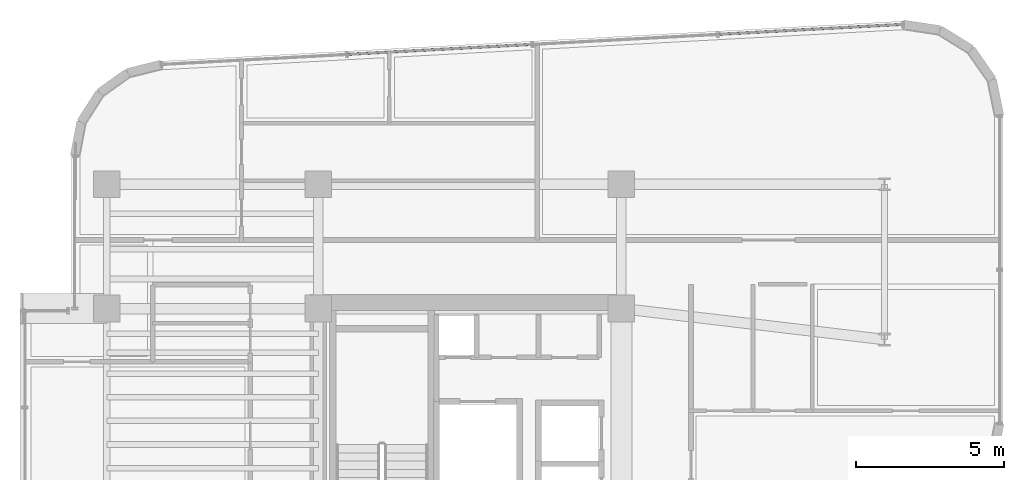
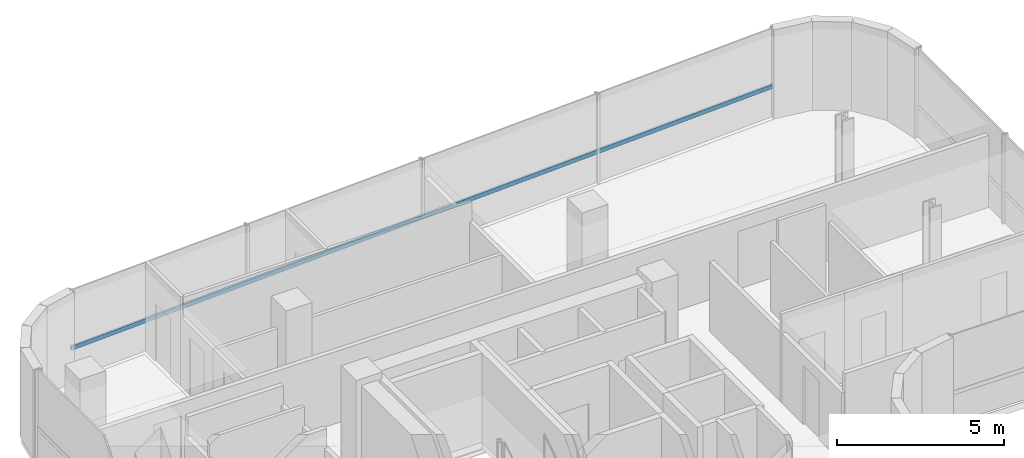
# One storey, part 13 of 22: 1 member, 1 element without a shape of its own.
"""IFC4 building model written with IfcOpenShell, lengths in metres."""

import ifcopenshell
import ifcopenshell.guid

model = None  # the IFC model being written
_history = None  # IfcOwnerHistory: only IFC2X3 demands one
_inside = {}  # id of a spatial element -> (the spatial element, [elements in it])
_under = {}  # id of a project, library or spatial element -> (it, [spatial elements below it])
_declared = {}  # id of a project -> (the project, [libraries it declares])
_typed = {}  # id of a type object -> (the type object, [elements of that type])
_made_of = {}  # id of a material, layer set ... -> (it, [elements and type objects made of it])


def new_model(schema):
    """Start an empty IFC model of exactly this schema.

    Asked for "IFC4X3", IfcOpenShell would pick the latest addendum, in which some entities
    have other attributes; the version numbers below select the first issue.
    IFC2X3 requires an IfcOwnerHistory on every rooted entity: one is made here for all.
    """
    global model, _history
    if schema == "IFC4X3":
        model = ifcopenshell.file(schema_version=(4, 3, 0, 0))
    else:
        model = ifcopenshell.file(schema=schema)
    _inside.clear()
    _under.clear()
    _declared.clear()
    _typed.clear()
    _made_of.clear()
    _history = None
    if model.schema == "IFC2X3":
        org = make("IfcOrganization", Name="unknown")
        user = make(
            "IfcPersonAndOrganization",
            ThePerson=make("IfcPerson", FamilyName="unknown"),
            TheOrganization=org,
        )
        app = make(
            "IfcApplication",
            ApplicationDeveloper=org,
            Version="unknown",
            ApplicationFullName="unknown",
            ApplicationIdentifier="unknown",
        )
        _history = make(
            "IfcOwnerHistory",
            OwningUser=user,
            OwningApplication=app,
            ChangeAction="ADDED",
            CreationDate=0,
        )
    return model


def make(cls, **values):
    """One entity of the class cls with the attributes given. An attribute that is None is left unset."""
    return model.create_entity(
        cls, **{name: value for name, value in values.items() if value is not None}
    )


def rooted(cls, **values):
    """An entity with a GlobalId (a new one), such as an element, a storey or a relation."""
    return make(cls, GlobalId=ifcopenshell.guid.new(), OwnerHistory=_history, **values)


def si_unit(unit_type, name, prefix=None):
    """IfcSIUnit, for example si_unit("LENGTHUNIT", "METRE", prefix="MILLI")."""
    return make("IfcSIUnit", UnitType=unit_type, Prefix=prefix, Name=name)


def assignment(units):
    """IfcUnitAssignment: the units of a project."""
    return None if units is None else make("IfcUnitAssignment", Units=units)


def point(xyz):
    """IfcCartesianPoint."""
    return None if xyz is None else make("IfcCartesianPoint", Coordinates=xyz)


def direction(xyz):
    """IfcDirection."""
    return None if xyz is None else make("IfcDirection", DirectionRatios=xyz)


def frame(location, z_axis=None, x_axis=None):
    """IfcAxis2Placement3D, a coordinate frame: its origin and axes. An axis left out is left unset."""
    return make(
        "IfcAxis2Placement3D",
        Location=point(location),
        Axis=direction(z_axis),
        RefDirection=direction(x_axis),
    )


def frame_2d(location, x_axis=None):
    """IfcAxis2Placement2D, a coordinate frame in the plane: its origin and x axis."""
    return make(
        "IfcAxis2Placement2D", Location=point(location), RefDirection=direction(x_axis)
    )


def origin():
    """The frame at (0, 0, 0) with its axes left unset."""
    return frame((0.0, 0.0, 0.0))


def origin_2d():
    """The frame at (0, 0) in the plane with its x axis left unset."""
    return frame_2d((0.0, 0.0))


def place(relative_to, where):
    """IfcLocalPlacement: puts the frame where relative to a parent placement (None: the world)."""
    return make(
        "IfcLocalPlacement", PlacementRelTo=relative_to, RelativePlacement=where
    )


def context(
    kind, dimensions, precision=None, world=None, true_north=None, identifier=None
):
    """IfcGeometricRepresentationContext, for example the 3D "Model" context."""
    return make(
        "IfcGeometricRepresentationContext",
        ContextIdentifier=identifier,
        ContextType=kind,
        CoordinateSpaceDimension=dimensions,
        Precision=precision,
        WorldCoordinateSystem=world,
        TrueNorth=true_north,
    )


def subcontext(parent, identifier, kind, view, scale=None):
    """IfcGeometricRepresentationSubContext, for example "Body" below "Model"."""
    return make(
        "IfcGeometricRepresentationSubContext",
        ContextIdentifier=identifier,
        ContextType=kind,
        ParentContext=parent,
        TargetScale=scale,
        TargetView=view,
    )


def project(units=None, contexts=None):
    """IfcProject with its units and contexts."""
    return rooted(
        "IfcProject",
        Name="project",
        RepresentationContexts=contexts,
        UnitsInContext=assignment(units),
    )


def spatial(cls, under=None, at=None, **own):
    """A site, building, storey or space (cls), placed at a placement, below another one or the project."""
    s = rooted(cls, ObjectPlacement=at, **own)
    if under is not None:
        _under.setdefault(under.id(), (under, []))[1].append(s)
    return s


def profile(cls, at=None, kind="AREA", **sizes):
    """A parametric profile (cls). Its sizes go by their IFC names, for example OverallWidth=200.0."""
    return make(cls, ProfileType=kind, Position=at, **sizes)


def hollow_rectangle(**sizes):
    """IfcRectangleHollowProfileDef."""
    return profile("IfcRectangleHollowProfileDef", **sizes)


def extrude(swept, where, along, depth):
    """IfcExtrudedAreaSolid: the profile swept, set in the frame where, extruded along a direction by depth."""
    return make(
        "IfcExtrudedAreaSolid",
        SweptArea=swept,
        Position=where,
        ExtrudedDirection=direction(along),
        Depth=depth,
    )


def shape(context_of_items, identifier, shape_type, items):
    """IfcShapeRepresentation: the items that make up one representation, for example the "Body"."""
    return make(
        "IfcShapeRepresentation",
        ContextOfItems=context_of_items,
        RepresentationIdentifier=identifier,
        RepresentationType=shape_type,
        Items=items,
    )


def source(mapping_origin, context_of_items, identifier, shape_type, items):
    """IfcRepresentationMap: a shape defined once, which mapped items show again and again."""
    return make(
        "IfcRepresentationMap",
        MappingOrigin=mapping_origin,
        MappedRepresentation=shape(context_of_items, identifier, shape_type, items),
    )


def transform(
    local_origin,
    x_axis=None,
    y_axis=None,
    z_axis=None,
    scale=None,
    scale2=None,
    scale3=None,
    uniform=True,
):
    """IfcCartesianTransformationOperator3D, or its non-uniform kind. x_axis, y_axis, z_axis: its Axis1, 2, 3."""
    if uniform:
        return make(
            "IfcCartesianTransformationOperator3D",
            Axis1=direction(x_axis),
            Axis2=direction(y_axis),
            LocalOrigin=point(local_origin),
            Scale=scale,
            Axis3=direction(z_axis),
        )
    return make(
        "IfcCartesianTransformationOperator3DnonUniform",
        Axis1=direction(x_axis),
        Axis2=direction(y_axis),
        LocalOrigin=point(local_origin),
        Scale=scale,
        Axis3=direction(z_axis),
        Scale2=scale2,
        Scale3=scale3,
    )


def mapped(mapping_source, mapping_target):
    """IfcMappedItem: shows the shape of a source again, moved by a transform."""
    return make(
        "IfcMappedItem", MappingSource=mapping_source, MappingTarget=mapping_target
    )


def material(Name=None, Category=None):
    """IfcMaterial."""
    return make("IfcMaterial", Name=Name, Category=Category)


def material_profile(
    of_material, cross_section, Name=None, Category=None, Priority=None
):
    """IfcMaterialProfile: a cross section and its material."""
    return make(
        "IfcMaterialProfile",
        Name=Name,
        Material=of_material,
        Profile=cross_section,
        Priority=Priority,
        Category=Category,
    )


def profile_set(profiles, Name=None, composite=None):
    """IfcMaterialProfileSet."""
    return make(
        "IfcMaterialProfileSet",
        Name=Name,
        MaterialProfiles=profiles,
        CompositeProfile=composite,
    )


def made_of(thing, what):
    """Note that an element or type object is made of a material, layer set ...; save() writes the relation."""
    if what is not None:
        _made_of.setdefault(what.id(), (what, []))[1].append(thing)
    return thing


def type_object(cls, material=None, **own):
    """A type object (cls), such as IfcWallType, which elements share."""
    return made_of(rooted(cls, **own), material)


def element(
    cls,
    number,
    at=None,
    inside=None,
    cuts=None,
    type_object=None,
    material=None,
    context=None,
    identifier="Body",
    shape_type=None,
    held_by="IfcProductDefinitionShape",
    body=None,
    shapes=None,
    **own,
):
    """One element of the class cls, such as IfcWall. Its Tag is "e" and its number.

    at: its placement. inside: the storey or other place that contains it. cuts: it is an
    opening in that element (IfcRelVoidsElement). A single representation is given by context,
    identifier, shape_type and body (its items); several are given by shapes. held_by: the class
    of the entity that holds the representations. save() writes the other relations.
    """
    e = rooted(cls, Tag="e%d" % number, ObjectPlacement=at, **own)
    if body is not None:
        shapes = [shape(context, identifier, shape_type, body)]
    if shapes is not None:
        e.Representation = make(held_by, Representations=shapes)
    if inside is not None:
        _inside.setdefault(inside.id(), (inside, []))[1].append(e)
    if cuts is not None:
        rooted(
            "IfcRelVoidsElement", RelatingBuildingElement=cuts, RelatedOpeningElement=e
        )
    if type_object is not None:
        _typed.setdefault(type_object.id(), (type_object, []))[1].append(e)
    return made_of(e, material)


def aggregate(whole, parts):
    """IfcRelAggregates: a whole, such as a stair, and the parts it consists of."""
    return rooted("IfcRelAggregates", RelatingObject=whole, RelatedObjects=parts)


def save(model, path):
    """Write the relations noted so far, then the file.

    IfcRelAggregates (storeys below a building ...), IfcRelContainedInSpatialStructure (elements
    in a storey), IfcRelDefinesByType, IfcRelAssociatesMaterial and IfcRelDeclares: one each for
    every whole, place, type object, material and project.
    """
    for whole, parts in _under.values():
        aggregate(whole, parts)
    for where, things in _inside.values():
        rooted(
            "IfcRelContainedInSpatialStructure",
            RelatedElements=things,
            RelatingStructure=where,
        )
    for kind, things in _typed.values():
        rooted("IfcRelDefinesByType", RelatedObjects=things, RelatingType=kind)
    for what, things in _made_of.values():
        rooted("IfcRelAssociatesMaterial", RelatedObjects=things, RelatingMaterial=what)
    for by, libraries in _declared.values():
        rooted("IfcRelDeclares", RelatingContext=by, RelatedDefinitions=libraries)
    model.write(path)


model = new_model("IFC4")

# Units and contexts
model_context = context("Model", 3, precision=1e-05, world=origin(), true_north=direction((0.0, 1.0)))
body_context = subcontext(model_context, "Body", "Model", "MODEL_VIEW")
ifc_project = project(units=[si_unit("LENGTHUNIT", "METRE"), si_unit("AREAUNIT", "SQUARE_METRE"), si_unit("VOLUMEUNIT", "CUBIC_METRE"), si_unit("PLANEANGLEUNIT", "RADIAN"), si_unit("MASSUNIT", "GRAM", prefix="KILO")], contexts=[model_context])

# Site, building, storey
site_placement = place(None, origin())
site = spatial("IfcSite", under=ifc_project, at=site_placement, CompositionType="ELEMENT")
building_placement = place(site_placement, origin())
building = spatial("IfcBuilding", under=site, at=building_placement, Name="Valdorenza Pilgrim Sanctuary Tower", CompositionType="ELEMENT")
storey_placement = place(building_placement, frame((0.0, 0.0, 209.0)))
storey = spatial("IfcBuildingStorey", under=building, at=storey_placement, Name="L53", CompositionType="ELEMENT", Elevation=209.0)

# Curtain wall, member
ifc_material_1 = material(Name="Curtain-wall IGU glazing", Category="glass")
curtain_wall_type = type_object("IfcCurtainWallType", Name="CW-SYS-02", PredefinedType="NOTDEFINED", material=ifc_material_1)
curtain_wall_placement = place(storey_placement, origin())
curtain_wall = element("IfcCurtainWall", 1, at=curtain_wall_placement, inside=storey, type_object=curtain_wall_type, Name="L53 Curtain Wall CW-L53-1-6", PredefinedType="NOTDEFINED")
ifc_material_2 = material(Name="Anodised aluminium AW-6060", Category="aluminium")
ifc_material_profile = material_profile(ifc_material_2, hollow_rectangle(XDim=0.074951171875, YDim=0.14990234375, WallThickness=0.00390625, at=origin_2d()), Name="ALU-T 150x75x4")
ifc_profile_set = profile_set([ifc_material_profile], Name="Anodised aluminium AW-6060")
member_type = type_object("IfcMemberType", Name="CW-TRN-02", PredefinedType="USERDEFINED", material=ifc_profile_set)
shared_shape = source(origin(), body_context, "Body", "SweptSolid", [
    extrude(hollow_rectangle(XDim=0.074951171875, YDim=0.14990234375, WallThickness=0.00390625, at=origin_2d()), origin(), (0.0, 0.0, 1.0), 25.114990234375),
])
member_placement = place(storey_placement, frame((-27.9560546875, 18.85400390625, 1.1201171875), z_axis=(0.998546716184, 0.053893001378, 0.0), x_axis=(-0.053893001378, 0.998546716184, 0.0)))
member = element("IfcMember", 2, at=member_placement, type_object=member_type, Name="CW-L53-1-6 Transom 1", ObjectType="TRANSOM", PredefinedType="USERDEFINED", context=body_context, shape_type="MappedRepresentation", body=[
    mapped(shared_shape, transform((0.0, 0.0, 0.0), x_axis=(1.0, 0.0, 0.0), y_axis=(0.0, 1.0, 0.0), z_axis=(0.0, 0.0, 1.0), scale=1.0)),
])
aggregate(curtain_wall, [member])

save(model, "model.ifc")
